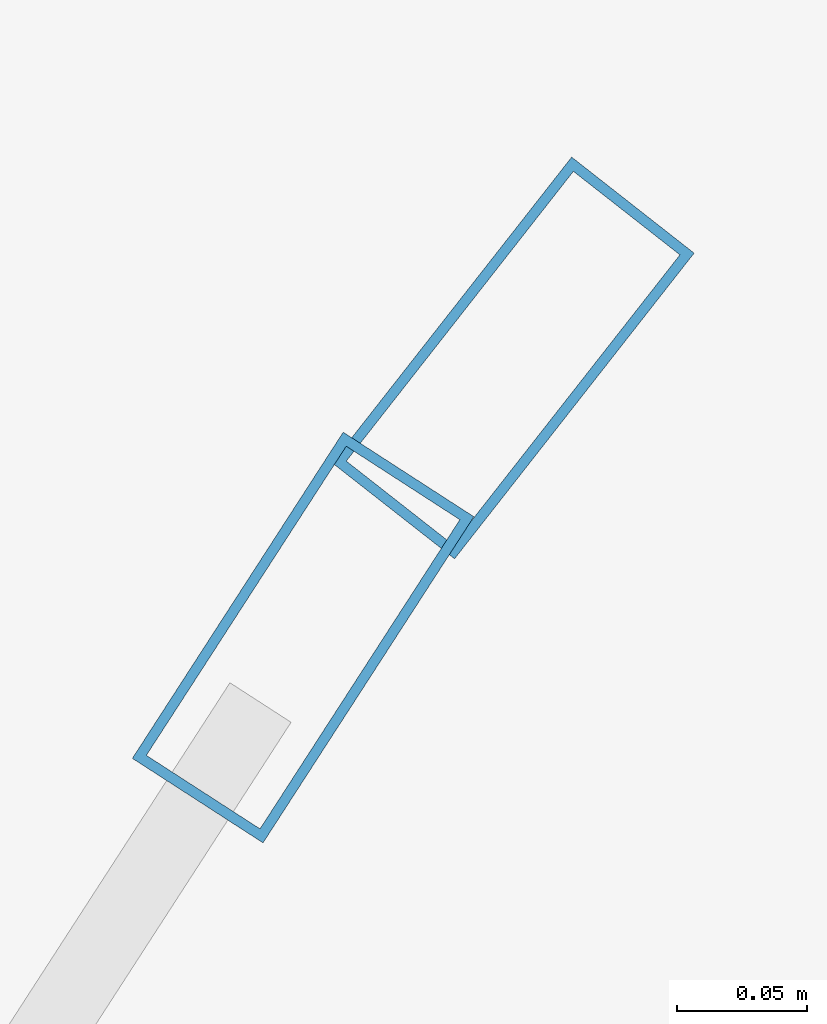
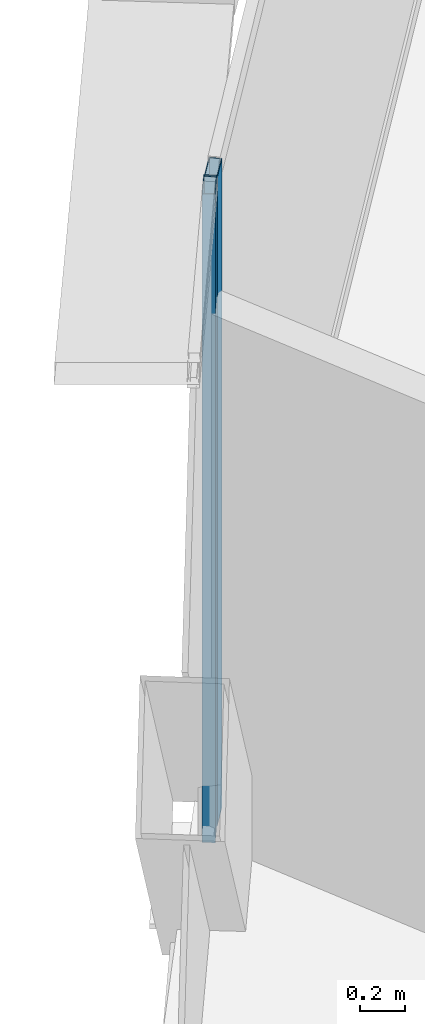
# One storey, part 18 of 37: 2 members, 2 elements without a shape of their own.
"""IFC4 building model written with IfcOpenShell, lengths in metres."""

from ifc_helpers import new_model, si_unit, direction, frame, origin, origin_2d, place, context, subcontext, project, spatial, hollow_rectangle, extrude, source, transform, mapped, material, layer, layer_set, material_profile, profile_set, type_object, element, aggregate, save


model = new_model("IFC4")

# Units and contexts
model_context = context("Model", 3, precision=1e-05, world=origin(), true_north=direction((0.0, 1.0)))
body_context = subcontext(model_context, "Body", "Model", "MODEL_VIEW")
ifc_project = project(units=[si_unit("LENGTHUNIT", "METRE"), si_unit("AREAUNIT", "SQUARE_METRE"), si_unit("VOLUMEUNIT", "CUBIC_METRE"), si_unit("PLANEANGLEUNIT", "RADIAN"), si_unit("MASSUNIT", "GRAM", prefix="KILO"), si_unit("THERMODYNAMICTEMPERATUREUNIT", "KELVIN"), si_unit("POWERUNIT", "WATT")], contexts=[model_context])

# Site, building, storey
site_placement = place(None, origin())
site = spatial("IfcSite", under=ifc_project, at=site_placement, CompositionType="ELEMENT")
building_placement = place(site_placement, origin())
building = spatial("IfcBuilding", under=site, at=building_placement, Name="Yunzhuo Pagoda Commons", CompositionType="ELEMENT")
storey_placement = place(building_placement, frame((0.0, 0.0, 192.360107421875)))
storey = spatial("IfcBuildingStorey", under=building, at=storey_placement, Name="L48", CompositionType="ELEMENT", Elevation=192.360107421875)

# Curtain wall, member
ifc_material = material(Name="Anodized aluminium 6063-T6", Category="aluminium")
ifc_layer = layer(ifc_material, 0.14990234375)
ifc_layer_set = layer_set([ifc_layer], Name="Anodized aluminium 6063-T6")
curtain_wall_type = type_object("IfcCurtainWallType", Name="CW-MID Mid-Zone Ribbon Curtain Wall", PredefinedType="NOTDEFINED", material=ifc_layer_set)
curtain_wall_1_placement = place(storey_placement, origin())
curtain_wall_1 = element("IfcCurtainWall", 1, at=curtain_wall_1_placement, inside=storey, type_object=curtain_wall_type, Name="L48 curtain wall CW-L48-F3B2", PredefinedType="NOTDEFINED")
ifc_material_profile = material_profile(ifc_material, hollow_rectangle(XDim=0.06005859375, YDim=0.14990234375, WallThickness=0.00390625, at=origin_2d()), Name="Anodized aluminium 6063-T6")
ifc_profile_set = profile_set([ifc_material_profile], Name="Anodized aluminium 6063-T6")
member_type = type_object("IfcMemberType", Name="CW-MID-M Mullion RHS 150x60x4", PredefinedType="MULLION", material=ifc_profile_set)
shared_shape = source(origin(), body_context, "Body", "SweptSolid", [
    extrude(hollow_rectangle(XDim=0.06005859375, YDim=0.14990234375, WallThickness=0.00390625, at=origin_2d()), origin(), (0.0, 0.0, 1.0), 3.539794921875),
])
member_1_placement = place(storey_placement, frame((32.418212890625, 68.635498046875, 0.0), z_axis=(0.0, 0.0, 1.0), x_axis=(0.839794048542, -0.542905107761, 0.0)))
member_1 = element("IfcMember", 2, at=member_1_placement, type_object=member_type, Name="CW mullion 1", PredefinedType="MULLION", context=body_context, shape_type="MappedRepresentation", body=[
    mapped(shared_shape, transform((0.0, 0.0, 0.0), scale=1.0)),
])
aggregate(curtain_wall_1, [member_1])

curtain_wall_2_placement = place(storey_placement, origin())
curtain_wall_2 = element("IfcCurtainWall", 3, at=curtain_wall_2_placement, inside=storey, type_object=curtain_wall_type, Name="L48 curtain wall CW-L48-F3B1", PredefinedType="NOTDEFINED")
member_2_placement = place(storey_placement, frame((32.499267578125, 68.743408203125, 0.0), z_axis=(0.0, 0.0, 1.0), x_axis=(0.787049910454, -0.616889324316, 0.0)))
member_2 = element("IfcMember", 4, at=member_2_placement, type_object=member_type, Name="CW mullion 2", PredefinedType="MULLION", context=body_context, shape_type="MappedRepresentation", body=[
    mapped(shared_shape, transform((0.0, 0.0, 0.0), scale=1.0)),
])
aggregate(curtain_wall_2, [member_2])

save(model, "model.ifc")
